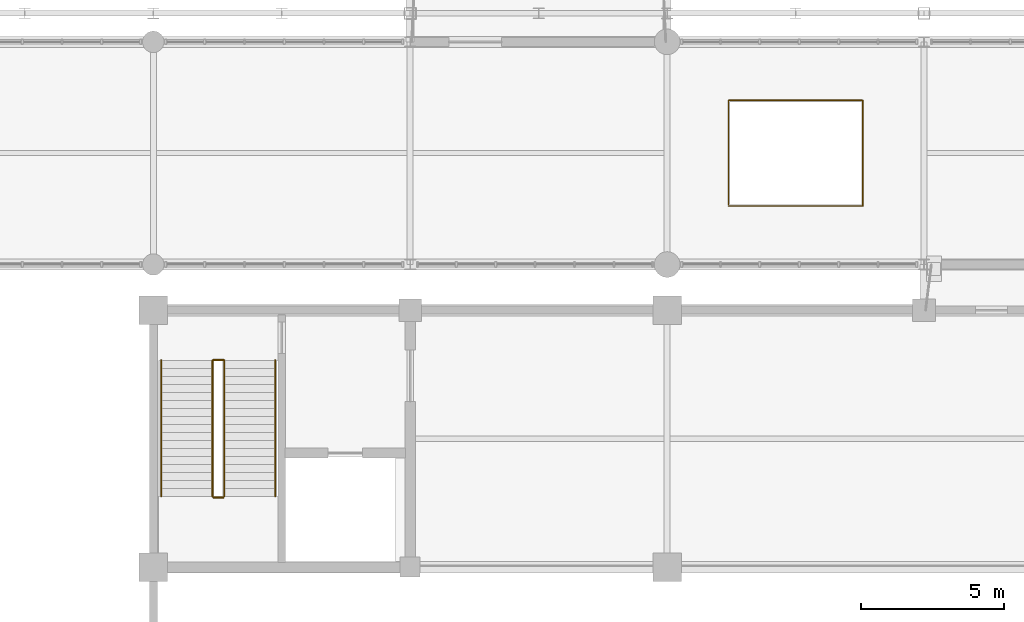
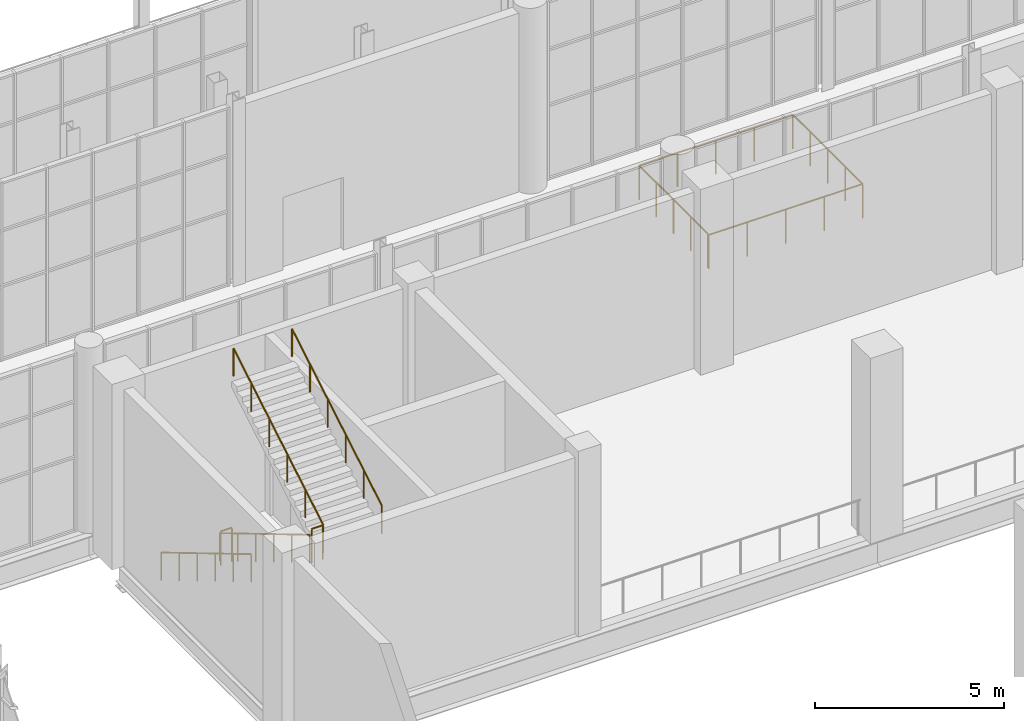
# One storey, part 145 of 159: 7 railings.
"""IFC4 building model written with IfcOpenShell, lengths in metres."""

from ifc_helpers import new_model, si_unit, direction, frame, origin, origin_2d, place, context, subcontext, project, spatial, circle, extrude, material, type_object, element, save


model = new_model("IFC4")

# Units and contexts
model_context = context("Model", 3, precision=1e-05, world=origin(), true_north=direction((0.0, 1.0)))
body_context = subcontext(model_context, "Body", "Model", "MODEL_VIEW")
ifc_project = project(units=[si_unit("LENGTHUNIT", "METRE"), si_unit("AREAUNIT", "SQUARE_METRE"), si_unit("VOLUMEUNIT", "CUBIC_METRE"), si_unit("PLANEANGLEUNIT", "RADIAN"), si_unit("MASSUNIT", "GRAM", prefix="KILO")], contexts=[model_context])

# Site, building, storey
site_placement = place(None, origin())
site = spatial("IfcSite", under=ifc_project, at=site_placement, CompositionType="ELEMENT")
building_placement = place(site_placement, origin())
building = spatial("IfcBuilding", under=site, at=building_placement, Name="Cazmaro Siding Exhibition Halls", CompositionType="ELEMENT")
storey_placement = place(building_placement, frame((0.0, 0.0, 6.0)))
storey = spatial("IfcBuildingStorey", under=building, at=storey_placement, Name="L01", CompositionType="ELEMENT", Elevation=6.0)

# Railings
ifc_material_1 = material(Name="Interior Laminated Glass and Brushed Stainless Steel Balustrade", Category="steel")
railing_type_1 = type_object("IfcRailingType", Name="RL-BAL-02", PredefinedType="BALUSTRADE", material=ifc_material_1)
railing_1_placement = place(storey_placement, frame((92.14990234375, 57.25, 0.0)))
element("IfcRailing", 1, at=railing_1_placement, inside=storey, type_object=railing_type_1, Name="Concourse Atrium Guard L01 RL-BAL-02 RL-G006", PredefinedType="BALUSTRADE", context=body_context, shape_type="SweptSolid", body=[
    extrude(circle(Radius=0.02392578125, at=origin_2d()), frame((0.0, 0.0, 1.09619140625), z_axis=(1.0, 0.0, 0.0), x_axis=(0.0, 1.0, 0.0)), (0.0, 0.0, 1.0), 4.7001953125),
    extrude(circle(Radius=0.02392578125, at=origin_2d()), frame((4.7001953125, 0.0, 1.09619140625), z_axis=(0.0, 1.0, 0.0), x_axis=(-1.0, 0.0, 0.0)), (0.0, 0.0, 1.0), 3.699951171875),
    extrude(circle(Radius=0.02392578125, at=origin_2d()), frame((4.7001953125, 3.699951171875, 1.09619140625), z_axis=(-1.0, 0.0, 0.0), x_axis=(0.0, -1.0, 0.0)), (0.0, 0.0, 1.0), 4.7001953125),
    extrude(circle(Radius=0.02392578125, at=origin_2d()), frame((0.0, 3.699951171875, 1.09619140625), z_axis=(0.0, -1.0, 0.0), x_axis=(1.0, 0.0, 0.0)), (0.0, 0.0, 1.0), 3.639892578125),
    extrude(circle(Radius=0.02099609375, at=origin_2d()), origin(), (0.0, 0.0, 1.0), 1.072021484375),
    extrude(circle(Radius=0.02099609375, at=origin_2d()), frame((1.175048828125, 0.0, 0.0)), (0.0, 0.0, 1.0), 1.072021484375),
    extrude(circle(Radius=0.02099609375, at=origin_2d()), frame((2.35009765625, 0.0, 0.0)), (0.0, 0.0, 1.0), 1.072021484375),
    extrude(circle(Radius=0.02099609375, at=origin_2d()), frame((3.525146484375, 0.0, 0.0)), (0.0, 0.0, 1.0), 1.072021484375),
    extrude(circle(Radius=0.02099609375, at=origin_2d()), frame((4.7001953125, 0.0, 0.0)), (0.0, 0.0, 1.0), 1.072021484375),
    extrude(circle(Radius=0.02099609375, at=origin_2d()), frame((4.7001953125, 0.925048828125, 0.0)), (0.0, 0.0, 1.0), 1.072021484375),
    extrude(circle(Radius=0.02099609375, at=origin_2d()), frame((4.7001953125, 1.85009765625, 0.0)), (0.0, 0.0, 1.0), 1.072021484375),
    extrude(circle(Radius=0.02099609375, at=origin_2d()), frame((4.7001953125, 2.77490234375, 0.0)), (0.0, 0.0, 1.0), 1.072021484375),
    extrude(circle(Radius=0.02099609375, at=origin_2d()), frame((4.7001953125, 3.699951171875, 0.0)), (0.0, 0.0, 1.0), 1.072021484375),
    extrude(circle(Radius=0.02099609375, at=origin_2d()), frame((3.525146484375, 3.699951171875, 0.0)), (0.0, 0.0, 1.0), 1.072021484375),
    extrude(circle(Radius=0.02099609375, at=origin_2d()), frame((2.35009765625, 3.699951171875, 0.0)), (0.0, 0.0, 1.0), 1.072021484375),
    extrude(circle(Radius=0.02099609375, at=origin_2d()), frame((1.175048828125, 3.699951171875, 0.0)), (0.0, 0.0, 1.0), 1.072021484375),
    extrude(circle(Radius=0.02099609375, at=origin_2d()), frame((0.0, 3.699951171875, 0.0)), (0.0, 0.0, 1.0), 1.072021484375),
    extrude(circle(Radius=0.02099609375, at=origin_2d()), frame((0.0, 2.7900390625, 0.0)), (0.0, 0.0, 1.0), 1.072021484375),
    extrude(circle(Radius=0.02099609375, at=origin_2d()), frame((0.0, 1.8798828125, 0.0)), (0.0, 0.0, 1.0), 1.072021484375),
    extrude(circle(Radius=0.02099609375, at=origin_2d()), frame((0.0, 0.969970703125, 0.0)), (0.0, 0.0, 1.0), 1.072021484375),
    extrude(circle(Radius=0.02099609375, at=origin_2d()), frame((0.0, 0.06005859375, 0.0)), (0.0, 0.0, 1.0), 1.072021484375),
])
ifc_material_2 = material(Name="Painted Steel Stairwell Guardrail", Category="steel")
railing_type_2 = type_object("IfcRailingType", Name="RL-GRD-01", PredefinedType="GUARDRAIL", material=ifc_material_2)
for number, where, name in (
    (2, (74.10498046875, 51.860107421875, 0.0), "Core C3 L01 Landing Slot Guard RL-GRD-01 RL-SG010"),
    (3, (74.10498046875, 47.0400390625, 3.0), "ST-06 Mid-Landing Slot Guard RL-GRD-01 RL-SG011"),
):
    element("IfcRailing", number, at=place(storey_placement, frame(where)), inside=storey, type_object=railing_type_2, Name=name, PredefinedType="GUARDRAIL", context=body_context, shape_type="SweptSolid", body=[
        extrude(circle(Radius=0.02392578125, at=origin_2d()), frame((0.0, 0.0, 1.09619140625), z_axis=(1.0, 0.0, 0.0), x_axis=(0.0, 1.0, 0.0)), (0.0, 0.0, 1.0), 0.344970703125),
        extrude(circle(Radius=0.02099609375, at=origin_2d()), origin(), (0.0, 0.0, 1.0), 1.072021484375),
        extrude(circle(Radius=0.02099609375, at=origin_2d()), frame((0.344970703125, 0.0, 0.0)), (0.0, 0.0, 1.0), 1.072021484375),
    ])
ifc_material_3 = material(Name="Brushed Stainless Steel Tubular Handrail", Category="steel")
railing_type_3 = type_object("IfcRailingType", Name="RL-HR-01", PredefinedType="HANDRAIL", material=ifc_material_3)
railing_2_placement = place(storey_placement, frame((72.280029296875, 51.840087890625, 0.1669921875)))
element("IfcRailing", 4, at=railing_2_placement, inside=storey, type_object=railing_type_3, Name="ST-06 Flight 1 Handrail 1", PredefinedType="HANDRAIL", context=body_context, shape_type="SweptSolid", body=[
    extrude(circle(Radius=0.02392578125, at=origin_2d()), frame((0.0, 0.0, 0.89599609375), z_axis=(0.0, -0.859319172962, 0.511439692417), x_axis=(1.0, 0.0, 0.0)), (0.0, 0.0, 1.0), 5.539306640625),
    extrude(circle(Radius=0.02099609375, at=origin_2d()), origin(), (0.0, 0.0, 1.0), 0.871826171875),
    extrude(circle(Radius=0.02099609375, at=origin_2d()), frame((0.0, -0.951904296875, 0.566650390625)), (0.0, 0.0, 1.0), 0.871826171875),
    extrude(circle(Radius=0.02099609375, at=origin_2d()), frame((0.0, -1.904052734375, 1.13330078125)), (0.0, 0.0, 1.0), 0.871826171875),
    extrude(circle(Radius=0.02099609375, at=origin_2d()), frame((0.0, -2.85595703125, 1.69970703125)), (0.0, 0.0, 1.0), 0.871826171875),
    extrude(circle(Radius=0.02099609375, at=origin_2d()), frame((0.0, -3.80810546875, 2.266357421875)), (0.0, 0.0, 1.0), 0.871826171875),
    extrude(circle(Radius=0.02099609375, at=origin_2d()), frame((0.0, -4.760009765625, 2.8330078125)), (0.0, 0.0, 1.0), 0.871826171875),
])
railing_3_placement = place(storey_placement, frame((74.485107421875, 47.080078125, 3.1669921875)))
element("IfcRailing", 5, at=railing_3_placement, inside=storey, type_object=railing_type_3, Name="ST-06 Flight 2 Handrail 1", PredefinedType="HANDRAIL", context=body_context, shape_type="SweptSolid", body=[
    extrude(circle(Radius=0.02392578125, at=origin_2d()), frame((0.0, 0.0, 0.89599609375), z_axis=(0.0, 0.859319172962, 0.511439692417), x_axis=(-1.0, 0.0, 0.0)), (0.0, 0.0, 1.0), 5.539306640625),
    extrude(circle(Radius=0.02099609375, at=origin_2d()), origin(), (0.0, 0.0, 1.0), 0.871826171875),
    extrude(circle(Radius=0.02099609375, at=origin_2d()), frame((0.0, 0.951904296875, 0.566650390625)), (0.0, 0.0, 1.0), 0.871826171875),
    extrude(circle(Radius=0.02099609375, at=origin_2d()), frame((0.0, 1.904052734375, 1.13330078125)), (0.0, 0.0, 1.0), 0.871826171875),
    extrude(circle(Radius=0.02099609375, at=origin_2d()), frame((0.0, 2.85595703125, 1.69970703125)), (0.0, 0.0, 1.0), 0.871826171875),
    extrude(circle(Radius=0.02099609375, at=origin_2d()), frame((0.0, 3.80810546875, 2.266357421875)), (0.0, 0.0, 1.0), 0.871826171875),
    extrude(circle(Radius=0.02099609375, at=origin_2d()), frame((0.0, 4.760009765625, 2.8330078125)), (0.0, 0.0, 1.0), 0.871826171875),
])
railing_4_placement = place(storey_placement, frame((74.070068359375, 51.840087890625, 0.1669921875)))
element("IfcRailing", 6, at=railing_4_placement, inside=storey, type_object=railing_type_3, Name="ST-06 Flight 1 Handrail 2", PredefinedType="HANDRAIL", context=body_context, shape_type="SweptSolid", body=[
    extrude(circle(Radius=0.02392578125, at=origin_2d()), frame((0.0, 0.0, 0.89599609375), z_axis=(0.0, -0.859319172962, 0.511439692417), x_axis=(1.0, 0.0, 0.0)), (0.0, 0.0, 1.0), 5.539306640625),
    extrude(circle(Radius=0.02099609375, at=origin_2d()), origin(), (0.0, 0.0, 1.0), 0.871826171875),
    extrude(circle(Radius=0.02099609375, at=origin_2d()), frame((0.0, -0.951904296875, 0.566650390625)), (0.0, 0.0, 1.0), 0.871826171875),
    extrude(circle(Radius=0.02099609375, at=origin_2d()), frame((0.0, -1.904052734375, 1.13330078125)), (0.0, 0.0, 1.0), 0.871826171875),
    extrude(circle(Radius=0.02099609375, at=origin_2d()), frame((0.0, -2.85595703125, 1.69970703125)), (0.0, 0.0, 1.0), 0.871826171875),
    extrude(circle(Radius=0.02099609375, at=origin_2d()), frame((0.0, -3.80810546875, 2.266357421875)), (0.0, 0.0, 1.0), 0.871826171875),
    extrude(circle(Radius=0.02099609375, at=origin_2d()), frame((0.0, -4.760009765625, 2.8330078125)), (0.0, 0.0, 1.0), 0.871826171875),
])
railing_5_placement = place(storey_placement, frame((76.27490234375, 47.080078125, 3.1669921875)))
element("IfcRailing", 7, at=railing_5_placement, inside=storey, type_object=railing_type_3, Name="ST-06 Flight 2 Handrail 2", PredefinedType="HANDRAIL", context=body_context, shape_type="SweptSolid", body=[
    extrude(circle(Radius=0.02392578125, at=origin_2d()), frame((0.0, 0.0, 0.89599609375), z_axis=(0.0, 0.859319172962, 0.511439692417), x_axis=(-1.0, 0.0, 0.0)), (0.0, 0.0, 1.0), 5.539306640625),
    extrude(circle(Radius=0.02099609375, at=origin_2d()), origin(), (0.0, 0.0, 1.0), 0.871826171875),
    extrude(circle(Radius=0.02099609375, at=origin_2d()), frame((0.0, 0.951904296875, 0.566650390625)), (0.0, 0.0, 1.0), 0.871826171875),
    extrude(circle(Radius=0.02099609375, at=origin_2d()), frame((0.0, 1.904052734375, 1.13330078125)), (0.0, 0.0, 1.0), 0.871826171875),
    extrude(circle(Radius=0.02099609375, at=origin_2d()), frame((0.0, 2.85595703125, 1.69970703125)), (0.0, 0.0, 1.0), 0.871826171875),
    extrude(circle(Radius=0.02099609375, at=origin_2d()), frame((0.0, 3.80810546875, 2.266357421875)), (0.0, 0.0, 1.0), 0.871826171875),
    extrude(circle(Radius=0.02099609375, at=origin_2d()), frame((0.0, 4.760009765625, 2.8330078125)), (0.0, 0.0, 1.0), 0.871826171875),
])

save(model, "model.ifc")
